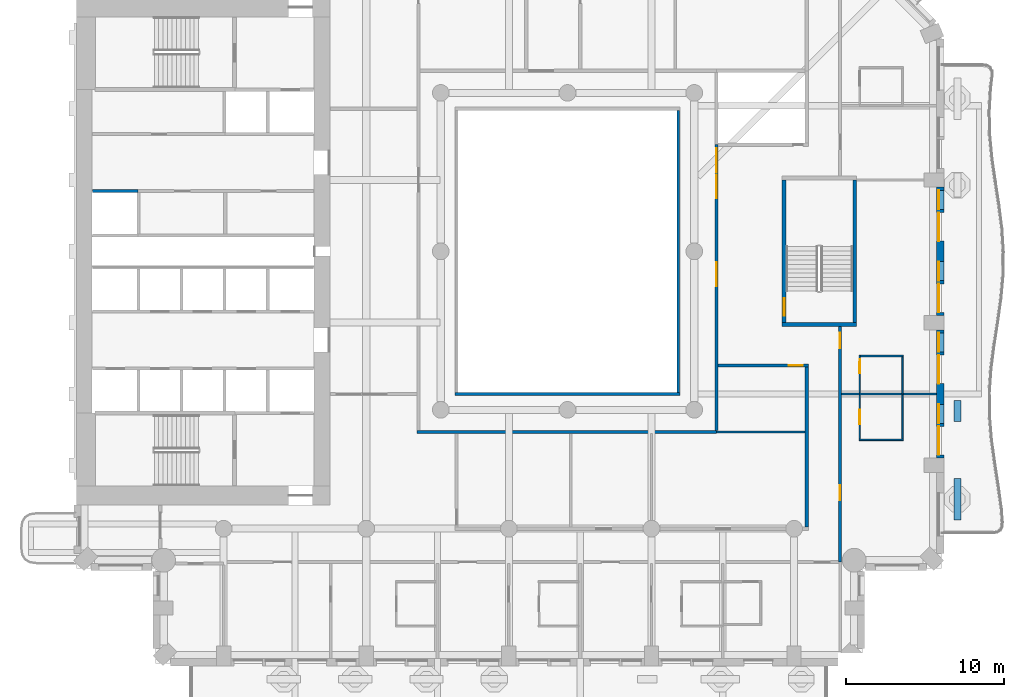
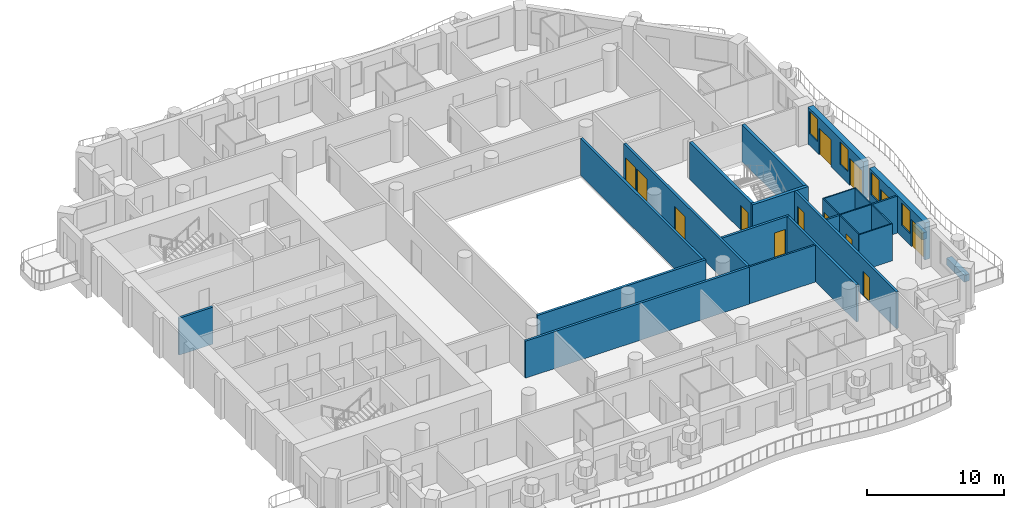
# One storey, part 6 of 19: 25 walls, 13 doors, 4 windows, 17 openings.
"""IFC4 building model written with IfcOpenShell, lengths in metres."""

from ifc_helpers import new_model, si_unit, direction, frame, frame_2d, origin, place, context, subcontext, project, spatial, rectangle, extrude, material, layer, layer_set, type_object, element, fill, save


model = new_model("IFC4")

# Units and contexts
model_context = context("Model", 3, precision=1e-05, world=origin(), true_north=direction((0.0, 1.0)))
body_context = subcontext(model_context, "Body", "Model", "MODEL_VIEW")
ifc_project = project(units=[si_unit("LENGTHUNIT", "METRE"), si_unit("AREAUNIT", "SQUARE_METRE"), si_unit("VOLUMEUNIT", "CUBIC_METRE"), si_unit("PLANEANGLEUNIT", "RADIAN"), si_unit("MASSUNIT", "GRAM", prefix="KILO")], contexts=[model_context])

# Site, building, storey
site_placement = place(None, origin())
site = spatial("IfcSite", under=ifc_project, at=site_placement, CompositionType="ELEMENT")
building_placement = place(site_placement, origin())
building = spatial("IfcBuilding", under=site, at=building_placement, Name="Cypress Arch Tower", CompositionType="ELEMENT")
storey_placement = place(building_placement, frame((0.0, 0.0, 141.89990234375)))
storey = spatial("IfcBuildingStorey", under=building, at=storey_placement, Name="L31", CompositionType="ELEMENT", Elevation=141.89990234375)

# Walls
ifc_material_1 = material(Name="Concrete C40/50, waterproofed", Category="concrete")
ifc_layer_1 = layer(ifc_material_1, 0.449951171875)
ifc_layer_set_1 = layer_set([ifc_layer_1], Name="Balcony planter wall PW450")
wall_type_1 = type_object("IfcWallType", Name="Balcony planter wall PW450", PredefinedType="SOLIDWALL", material=ifc_layer_set_1)
wall_1_placement = place(storey_placement, frame((25.60009765625, -16.949951171875, 0.0), z_axis=(0.0, 0.0, 1.0), x_axis=(0.0, 1.0, 0.0)))
element("IfcWall", 1, at=wall_1_placement, inside=storey, type_object=wall_type_1, Name="Balcony planter wall L31-A06.1", PredefinedType="SOLIDWALL", context=body_context, shape_type="SweptSolid", body=[
    extrude(rectangle(XDim=2.6142578125, YDim=0.449951171875, at=frame_2d((1.30712890625, 0.0))), origin(), (0.0, 0.0, 1.0), 0.60009765625),
])
wall_2_placement = place(storey_placement, frame((25.60009765625, -10.75, 0.0), z_axis=(0.0, 0.0, 1.0), x_axis=(0.0, 1.0, 0.0)))
element("IfcWall", 2, at=wall_2_placement, inside=storey, type_object=wall_type_1, Name="Balcony planter wall L31-A06.2", PredefinedType="SOLIDWALL", context=body_context, shape_type="SweptSolid", body=[
    extrude(rectangle(XDim=1.32861328125, YDim=0.449951171875, at=frame_2d((0.664306640625, 0.0))), origin(), (0.0, 0.0, 1.0), 0.60009765625),
])

# Wall, openings, doors, windows
ifc_material_2 = material(Name="Brick (red buff blend)", Category="masonry")
ifc_layer_2 = layer(ifc_material_2, 0.449951171875)
ifc_layer_set_2 = layer_set([ifc_layer_2], Name="Brick pier and spandrel wall BW450")
wall_type_2 = type_object("IfcWallType", Name="Brick pier and spandrel wall BW450", PredefinedType="SOLIDWALL", material=ifc_layer_set_2)
wall_3_placement = place(storey_placement, frame((24.52490234375, -13.050048828125, 0.0), z_axis=(0.0, 0.0, 1.0), x_axis=(0.0, 1.0, 0.0)))
wall_3 = element("IfcWall", 3, at=wall_3_placement, inside=storey, type_object=wall_type_2, Name="Brick wall L31 A06.1", PredefinedType="SOLIDWALL", context=body_context, shape_type="SweptSolid", body=[
    extrude(rectangle(XDim=8.10009765625, YDim=0.449951171875, at=frame_2d((4.050048828125, 0.0))), origin(), (0.0, 0.0, 1.0), 3.300048828125),
])
opening_1_placement = place(wall_3_placement, frame((0.199951171875, 0.0, 0.0)))
opening_1 = element("IfcOpeningElement", 4, at=opening_1_placement, cuts=wall_3, Name="Opening D-L31-A06.1.1", PredefinedType="OPENING", context=body_context, shape_type="SweptSolid", body=[
    extrude(rectangle(XDim=1.800048828125, YDim=2.39990234375, at=frame_2d((0.89990234375, 1.199951171875))), frame((0.0, 0.23486328125, 0.0), z_axis=(0.0, -1.0, 0.0), x_axis=(1.0, 0.0, 0.0)), (0.0, 0.0, 1.0), 0.469970703125),
])
opening_2_placement = place(wall_3_placement, frame((2.199951171875, 0.0, 1.050048828125)))
opening_2 = element("IfcOpeningElement", 5, at=opening_2_placement, cuts=wall_3, Name="Opening W120HD", PredefinedType="OPENING", context=body_context, shape_type="SweptSolid", body=[
    extrude(rectangle(XDim=1.199951171875, YDim=2.0, at=frame_2d((0.60009765625, 1.0))), frame((0.0, 0.23486328125, 0.0), z_axis=(0.0, -1.0, 0.0), x_axis=(1.0, 0.0, 0.0)), (0.0, 0.0, 1.0), 0.469970703125),
])
opening_3_placement = place(wall_3_placement, frame((4.699951171875, 0.0, 0.0)))
opening_3 = element("IfcOpeningElement", 6, at=opening_3_placement, cuts=wall_3, Name="Opening D-L31-A06.1.2", PredefinedType="OPENING", context=body_context, shape_type="SweptSolid", body=[
    extrude(rectangle(XDim=1.800048828125, YDim=2.39990234375, at=frame_2d((0.89990234375, 1.199951171875))), frame((0.0, 0.23486328125, 0.0), z_axis=(0.0, -1.0, 0.0), x_axis=(1.0, 0.0, 0.0)), (0.0, 0.0, 1.0), 0.469970703125),
])
opening_4_placement = place(wall_3_placement, frame((6.699951171875, 0.0, 1.050048828125)))
opening_4 = element("IfcOpeningElement", 7, at=opening_4_placement, cuts=wall_3, Name="Opening W120HD", PredefinedType="OPENING", context=body_context, shape_type="SweptSolid", body=[
    extrude(rectangle(XDim=1.199951171875, YDim=2.0, at=frame_2d((0.60009765625, 1.0))), frame((0.0, 0.23486328125, 0.0), z_axis=(0.0, -1.0, 0.0), x_axis=(1.0, 0.0, 0.0)), (0.0, 0.0, 1.0), 0.469970703125),
])
ifc_material_3 = material(Name="Anodised aluminium, bronze finish, laminated low-emissivity double glazing, large-missile impact rated", Category="aluminium")
door_type_1 = type_object("IfcDoorType", Name="Balcony sliding door 1800x2400", OperationType="SLIDING_TO_LEFT", PredefinedType="DOOR", material=ifc_material_3)
door_1_placement = place(opening_1_placement, origin())
door_1 = element("IfcDoor", 8, at=door_1_placement, inside=storey, type_object=door_type_1, Name="Balcony door L31 A06.1.1", OperationType="SLIDING_TO_LEFT", OverallHeight=2.39990234375, OverallWidth=1.800048828125, PredefinedType="DOOR", context=body_context, shape_type="SweptSolid", body=[
    extrude(rectangle(XDim=1.800048828125, YDim=2.39990234375, at=frame_2d((0.89990234375, 1.199951171875))), frame((0.0, 0.1298828125, 0.0), z_axis=(0.0, -1.0, 0.0), x_axis=(1.0, 0.0, 0.0)), (0.0, 0.0, 1.0), 0.050048828125),
])
fill(opening_1, door_1)
door_2_placement = place(opening_3_placement, origin())
door_2 = element("IfcDoor", 9, at=door_2_placement, inside=storey, type_object=door_type_1, Name="Balcony door L31 A06.1.2", OperationType="SLIDING_TO_LEFT", OverallHeight=2.39990234375, OverallWidth=1.800048828125, PredefinedType="DOOR", context=body_context, shape_type="SweptSolid", body=[
    extrude(rectangle(XDim=1.800048828125, YDim=2.39990234375, at=frame_2d((0.89990234375, 1.199951171875))), frame((0.0, 0.1298828125, 0.0), z_axis=(0.0, -1.0, 0.0), x_axis=(1.0, 0.0, 0.0)), (0.0, 0.0, 1.0), 0.050048828125),
])
fill(opening_3, door_2)
ifc_material_4 = material(Name="Anodised aluminium, bronze finish, laminated low-emissivity double glazing, large-missile impact rated", Category="aluminium")
window_type = type_object("IfcWindowType", Name="Window Hotel 1200x2000 debris-rated", PartitioningType="SINGLE_PANEL", PredefinedType="WINDOW", material=ifc_material_4)
window_1_placement = place(opening_2_placement, origin())
window_1 = element("IfcWindow", 10, at=window_1_placement, inside=storey, type_object=window_type, Name="Window L31 A06.1.1", OverallHeight=2.0, OverallWidth=1.199951171875, PartitioningType="SINGLE_PANEL", PredefinedType="WINDOW", context=body_context, shape_type="SweptSolid", body=[
    extrude(rectangle(XDim=1.199951171875, YDim=2.0, at=frame_2d((0.60009765625, 1.0))), frame((0.0, 0.135009765625, 0.0), z_axis=(0.0, -1.0, 0.0), x_axis=(1.0, 0.0, 0.0)), (0.0, 0.0, 1.0), 0.06005859375),
])
fill(opening_2, window_1)
window_2_placement = place(opening_4_placement, origin())
window_2 = element("IfcWindow", 11, at=window_2_placement, inside=storey, type_object=window_type, Name="Window L31 A06.1.2", OverallHeight=2.0, OverallWidth=1.199951171875, PartitioningType="SINGLE_PANEL", PredefinedType="WINDOW", context=body_context, shape_type="SweptSolid", body=[
    extrude(rectangle(XDim=1.199951171875, YDim=2.0, at=frame_2d((0.60009765625, 1.0))), frame((0.0, 0.135009765625, 0.0), z_axis=(0.0, -1.0, 0.0), x_axis=(1.0, 0.0, 0.0)), (0.0, 0.0, 1.0), 0.06005859375),
])
fill(opening_4, window_2)

wall_4_placement = place(storey_placement, frame((24.52490234375, -4.050048828125, 0.0), z_axis=(0.0, 0.0, 1.0), x_axis=(0.0, 1.0, 0.0)))
wall_4 = element("IfcWall", 12, at=wall_4_placement, inside=storey, type_object=wall_type_2, Name="Brick wall L31 A06.2", PredefinedType="SOLIDWALL", context=body_context, shape_type="SweptSolid", body=[
    extrude(rectangle(XDim=8.10009765625, YDim=0.449951171875, at=frame_2d((4.050048828125, 0.0))), origin(), (0.0, 0.0, 1.0), 3.300048828125),
])
opening_5_placement = place(wall_4_placement, frame((0.199951171875, 0.0, 0.0)))
opening_5 = element("IfcOpeningElement", 13, at=opening_5_placement, cuts=wall_4, Name="Opening D-L31-A06.2.1", PredefinedType="OPENING", context=body_context, shape_type="SweptSolid", body=[
    extrude(rectangle(XDim=1.800048828125, YDim=2.39990234375, at=frame_2d((0.89990234375, 1.199951171875))), frame((0.0, 0.23486328125, 0.0), z_axis=(0.0, -1.0, 0.0), x_axis=(1.0, 0.0, 0.0)), (0.0, 0.0, 1.0), 0.469970703125),
])
opening_6_placement = place(wall_4_placement, frame((2.199951171875, 0.0, 1.050048828125)))
opening_6 = element("IfcOpeningElement", 14, at=opening_6_placement, cuts=wall_4, Name="Opening W120HD", PredefinedType="OPENING", context=body_context, shape_type="SweptSolid", body=[
    extrude(rectangle(XDim=1.199951171875, YDim=2.0, at=frame_2d((0.60009765625, 1.0))), frame((0.0, 0.23486328125, 0.0), z_axis=(0.0, -1.0, 0.0), x_axis=(1.0, 0.0, 0.0)), (0.0, 0.0, 1.0), 0.469970703125),
])
opening_7_placement = place(wall_4_placement, frame((4.699951171875, 0.0, 0.0)))
opening_7 = element("IfcOpeningElement", 15, at=opening_7_placement, cuts=wall_4, Name="Opening D-L31-A06.2.2", PredefinedType="OPENING", context=body_context, shape_type="SweptSolid", body=[
    extrude(rectangle(XDim=1.800048828125, YDim=2.39990234375, at=frame_2d((0.89990234375, 1.199951171875))), frame((0.0, 0.23486328125, 0.0), z_axis=(0.0, -1.0, 0.0), x_axis=(1.0, 0.0, 0.0)), (0.0, 0.0, 1.0), 0.469970703125),
])
opening_8_placement = place(wall_4_placement, frame((6.699951171875, 0.0, 1.050048828125)))
opening_8 = element("IfcOpeningElement", 16, at=opening_8_placement, cuts=wall_4, Name="Opening W120HD", PredefinedType="OPENING", context=body_context, shape_type="SweptSolid", body=[
    extrude(rectangle(XDim=1.199951171875, YDim=2.0, at=frame_2d((0.60009765625, 1.0))), frame((0.0, 0.23486328125, 0.0), z_axis=(0.0, -1.0, 0.0), x_axis=(1.0, 0.0, 0.0)), (0.0, 0.0, 1.0), 0.469970703125),
])
door_3_placement = place(opening_5_placement, origin())
door_3 = element("IfcDoor", 17, at=door_3_placement, inside=storey, type_object=door_type_1, Name="Balcony door L31 A06.2.1", OperationType="SLIDING_TO_LEFT", OverallHeight=2.39990234375, OverallWidth=1.800048828125, PredefinedType="DOOR", context=body_context, shape_type="SweptSolid", body=[
    extrude(rectangle(XDim=1.800048828125, YDim=2.39990234375, at=frame_2d((0.89990234375, 1.199951171875))), frame((0.0, 0.1298828125, 0.0), z_axis=(0.0, -1.0, 0.0), x_axis=(1.0, 0.0, 0.0)), (0.0, 0.0, 1.0), 0.050048828125),
])
fill(opening_5, door_3)
door_4_placement = place(opening_7_placement, origin())
door_4 = element("IfcDoor", 18, at=door_4_placement, inside=storey, type_object=door_type_1, Name="Balcony door L31 A06.2.2", OperationType="SLIDING_TO_LEFT", OverallHeight=2.39990234375, OverallWidth=1.800048828125, PredefinedType="DOOR", context=body_context, shape_type="SweptSolid", body=[
    extrude(rectangle(XDim=1.800048828125, YDim=2.39990234375, at=frame_2d((0.89990234375, 1.199951171875))), frame((0.0, 0.1298828125, 0.0), z_axis=(0.0, -1.0, 0.0), x_axis=(1.0, 0.0, 0.0)), (0.0, 0.0, 1.0), 0.050048828125),
])
fill(opening_7, door_4)
window_3_placement = place(opening_6_placement, origin())
window_3 = element("IfcWindow", 19, at=window_3_placement, inside=storey, type_object=window_type, Name="Window L31 A06.2.1", OverallHeight=2.0, OverallWidth=1.199951171875, PartitioningType="SINGLE_PANEL", PredefinedType="WINDOW", context=body_context, shape_type="SweptSolid", body=[
    extrude(rectangle(XDim=1.199951171875, YDim=2.0, at=frame_2d((0.60009765625, 1.0))), frame((0.0, 0.135009765625, 0.0), z_axis=(0.0, -1.0, 0.0), x_axis=(1.0, 0.0, 0.0)), (0.0, 0.0, 1.0), 0.06005859375),
])
fill(opening_6, window_3)
window_4_placement = place(opening_8_placement, origin())
window_4 = element("IfcWindow", 20, at=window_4_placement, inside=storey, type_object=window_type, Name="Window L31 A06.2.2", OverallHeight=2.0, OverallWidth=1.199951171875, PartitioningType="SINGLE_PANEL", PredefinedType="WINDOW", context=body_context, shape_type="SweptSolid", body=[
    extrude(rectangle(XDim=1.199951171875, YDim=2.0, at=frame_2d((0.60009765625, 1.0))), frame((0.0, 0.135009765625, 0.0), z_axis=(0.0, -1.0, 0.0), x_axis=(1.0, 0.0, 0.0)), (0.0, 0.0, 1.0), 0.06005859375),
])
fill(opening_8, window_4)

# Walls
ifc_material_5 = material(Name="Concrete blockwork, plastered, rated", Category="masonry")
ifc_layer_3 = layer(ifc_material_5, 0.199951171875)
ifc_layer_set_3 = layer_set([ifc_layer_3], Name="Corridor wall FW200")
wall_type_3 = type_object("IfcWallType", Name="Corridor wall FW200", PredefinedType="PARTITIONING", material=ifc_layer_set_3)
wall_5_placement = place(storey_placement, frame((-8.5, -11.39990234375, 0.0), z_axis=(0.0, 0.0, 1.0), x_axis=(1.0, 0.0, 0.0)))
element("IfcWall", 21, at=wall_5_placement, inside=storey, type_object=wall_type_3, Name="Corridor wall", PredefinedType="PARTITIONING", context=body_context, shape_type="SweptSolid", body=[
    extrude(rectangle(XDim=18.89990234375, YDim=0.199951171875, at=frame_2d((9.449951171875, 0.0))), origin(), (0.0, 0.0, 1.0), 3.300048828125),
])
wall_6_placement = place(storey_placement, frame((-6.10009765625, -9.0, 0.0), z_axis=(0.0, 0.0, 1.0), x_axis=(1.0, 0.0, 0.0)))
element("IfcWall", 22, at=wall_6_placement, inside=storey, type_object=wall_type_3, Name="Corridor wall", PredefinedType="PARTITIONING", context=body_context, shape_type="SweptSolid", body=[
    extrude(rectangle(XDim=14.2001953125, YDim=0.199951171875, at=frame_2d((7.10009765625, 0.0))), origin(), (0.0, 0.0, 1.0), 3.300048828125),
])
wall_7_placement = place(storey_placement, frame((8.0, -8.89990234375, 0.0), z_axis=(0.0, 0.0, 1.0), x_axis=(0.0, 1.0, 0.0)))
element("IfcWall", 23, at=wall_7_placement, inside=storey, type_object=wall_type_3, Name="Corridor wall", PredefinedType="PARTITIONING", context=body_context, shape_type="SweptSolid", body=[
    extrude(rectangle(XDim=17.7998046875, YDim=0.199951171875, at=frame_2d((8.89990234375, 0.0))), origin(), (0.0, 0.0, 1.0), 3.300048828125),
])

# Wall, openings, doors
wall_8_placement = place(storey_placement, frame((10.39990234375, -11.300048828125, 0.0), z_axis=(0.0, 0.0, 1.0), x_axis=(0.0, 1.0, 0.0)))
wall_8 = element("IfcWall", 24, at=wall_8_placement, inside=storey, type_object=wall_type_3, Name="Corridor wall", PredefinedType="PARTITIONING", context=body_context, shape_type="SweptSolid", body=[
    extrude(rectangle(XDim=18.045166015625, YDim=0.199951171875, at=frame_2d((9.0224609375, 0.0))), origin(), (0.0, 0.0, 1.0), 3.300048828125),
])
opening_9_placement = place(wall_8_placement, frame((16.300048828125, 0.0, 0.0)))
opening_9 = element("IfcOpeningElement", 25, at=opening_9_placement, cuts=wall_8, Name="Opening D04", PredefinedType="OPENING", context=body_context, shape_type="SweptSolid", body=[
    extrude(rectangle(XDim=1.5, YDim=2.199951171875, at=frame_2d((0.75, 1.10009765625))), frame((0.0, 0.10986328125, 0.0), z_axis=(0.0, -1.0, 0.0), x_axis=(1.0, 0.0, 0.0)), (0.0, 0.0, 1.0), 0.219970703125),
])
opening_10_placement = place(wall_8_placement, frame((14.64990234375, 0.0, 0.0)))
opening_10 = element("IfcOpeningElement", 26, at=opening_10_placement, cuts=wall_8, Name="Opening D04", PredefinedType="OPENING", context=body_context, shape_type="SweptSolid", body=[
    extrude(rectangle(XDim=1.5, YDim=2.199951171875, at=frame_2d((0.75, 1.10009765625))), frame((0.0, 0.10986328125, 0.0), z_axis=(0.0, -1.0, 0.0), x_axis=(1.0, 0.0, 0.0)), (0.0, 0.0, 1.0), 0.219970703125),
])
opening_11_placement = place(wall_8_placement, frame((9.10009765625, 0.0, 0.0)))
opening_11 = element("IfcOpeningElement", 27, at=opening_11_placement, cuts=wall_8, Name="Opening D04", PredefinedType="OPENING", context=body_context, shape_type="SweptSolid", body=[
    extrude(rectangle(XDim=1.5, YDim=2.199951171875, at=frame_2d((0.75, 1.10009765625))), frame((0.0, 0.10986328125, 0.0), z_axis=(0.0, -1.0, 0.0), x_axis=(1.0, 0.0, 0.0)), (0.0, 0.0, 1.0), 0.219970703125),
])
ifc_material_6 = material(Name="Timber double door", Category="wood")
door_type_2 = type_object("IfcDoorType", Name="Double door D04 1500x2200", OperationType="DOUBLE_DOOR_SINGLE_SWING", PredefinedType="DOOR", material=ifc_material_6)
door_5_placement = place(opening_9_placement, origin())
door_5 = element("IfcDoor", 28, at=door_5_placement, inside=storey, type_object=door_type_2, Name="Double door", OperationType="DOUBLE_DOOR_SINGLE_SWING", OverallHeight=2.199951171875, OverallWidth=1.5, PredefinedType="DOOR", context=body_context, shape_type="SweptSolid", body=[
    extrude(rectangle(XDim=1.5, YDim=2.199951171875, at=frame_2d((0.75, 1.10009765625))), frame((0.0, 0.02490234375, 0.0), z_axis=(0.0, -1.0, 0.0), x_axis=(1.0, 0.0, 0.0)), (0.0, 0.0, 1.0), 0.050048828125),
])
fill(opening_9, door_5)
door_6_placement = place(opening_10_placement, origin())
door_6 = element("IfcDoor", 29, at=door_6_placement, inside=storey, type_object=door_type_2, Name="Double door", OperationType="DOUBLE_DOOR_SINGLE_SWING", OverallHeight=2.199951171875, OverallWidth=1.5, PredefinedType="DOOR", context=body_context, shape_type="SweptSolid", body=[
    extrude(rectangle(XDim=1.5, YDim=2.199951171875, at=frame_2d((0.75, 1.10009765625))), frame((0.0, 0.02490234375, 0.0), z_axis=(0.0, -1.0, 0.0), x_axis=(1.0, 0.0, 0.0)), (0.0, 0.0, 1.0), 0.050048828125),
])
fill(opening_10, door_6)
door_7_placement = place(opening_11_placement, origin())
door_7 = element("IfcDoor", 30, at=door_7_placement, inside=storey, type_object=door_type_2, Name="Double door", OperationType="DOUBLE_DOOR_SINGLE_SWING", OverallHeight=2.199951171875, OverallWidth=1.5, PredefinedType="DOOR", context=body_context, shape_type="SweptSolid", body=[
    extrude(rectangle(XDim=1.5, YDim=2.199951171875, at=frame_2d((0.75, 1.10009765625))), frame((0.0, 0.02490234375, 0.0), z_axis=(0.0, -1.0, 0.0), x_axis=(1.0, 0.0, 0.0)), (0.0, 0.0, 1.0), 0.050048828125),
])
fill(opening_11, door_7)

# Wall, opening, door
wall_9_placement = place(storey_placement, frame((10.5, -7.199951171875, 0.0), z_axis=(0.0, 0.0, 1.0), x_axis=(1.0, 0.0, 0.0)))
wall_9 = element("IfcWall", 31, at=wall_9_placement, inside=storey, type_object=wall_type_3, Name="Corridor wall", PredefinedType="PARTITIONING", context=body_context, shape_type="SweptSolid", body=[
    extrude(rectangle(XDim=5.699951171875, YDim=0.199951171875, at=frame_2d((2.85009765625, 0.0))), origin(), (0.0, 0.0, 1.0), 3.300048828125),
])
opening_12_placement = place(wall_9_placement, frame((4.449951171875, 0.0, 0.0)))
opening_12 = element("IfcOpeningElement", 32, at=opening_12_placement, cuts=wall_9, Name="Opening D05", PredefinedType="OPENING", context=body_context, shape_type="SweptSolid", body=[
    extrude(rectangle(XDim=0.89990234375, YDim=2.199951171875, at=frame_2d((0.449951171875, 1.10009765625))), frame((0.0, 0.10986328125, 0.0), z_axis=(0.0, -1.0, 0.0), x_axis=(1.0, 0.0, 0.0)), (0.0, 0.0, 1.0), 0.219970703125),
])
ifc_material_7 = material(Name="Timber flush door", Category="wood")
door_type_3 = type_object("IfcDoorType", Name="Service door D05 900x2200", OperationType="SINGLE_SWING_LEFT", PredefinedType="DOOR", material=ifc_material_7)
door_8_placement = place(opening_12_placement, origin())
door_8 = element("IfcDoor", 33, at=door_8_placement, inside=storey, type_object=door_type_3, Name="Service door", OperationType="SINGLE_SWING_LEFT", OverallHeight=2.199951171875, OverallWidth=0.89990234375, PredefinedType="DOOR", context=body_context, shape_type="SweptSolid", body=[
    extrude(rectangle(XDim=0.89990234375, YDim=2.199951171875, at=frame_2d((0.449951171875, 1.10009765625))), frame((0.0, 0.02490234375, 0.0), z_axis=(0.0, -1.0, 0.0), x_axis=(1.0, 0.0, 0.0)), (0.0, 0.0, 1.0), 0.050048828125),
])
fill(opening_12, door_8)

# Wall
wall_10_placement = place(storey_placement, frame((16.10009765625, -17.39990234375, 0.0), z_axis=(0.0, 0.0, 1.0), x_axis=(0.0, 1.0, 0.0)))
element("IfcWall", 34, at=wall_10_placement, inside=storey, type_object=wall_type_3, Name="Corridor wall", PredefinedType="PARTITIONING", context=body_context, shape_type="SweptSolid", body=[
    extrude(rectangle(XDim=10.099853515625, YDim=0.199951171875, at=frame_2d((5.0498046875, 0.0))), origin(), (0.0, 0.0, 1.0), 3.300048828125),
])

# Wall, openings, doors
wall_11_placement = place(storey_placement, frame((18.199951171875, -19.60009765625, 0.0), z_axis=(0.0, 0.0, 1.0), x_axis=(0.0, 1.0, 0.0)))
wall_11 = element("IfcWall", 35, at=wall_11_placement, inside=storey, type_object=wall_type_3, Name="Corridor wall", PredefinedType="PARTITIONING", context=body_context, shape_type="SweptSolid", body=[
    extrude(rectangle(XDim=14.85009765625, YDim=0.199951171875, at=frame_2d((7.425048828125, 0.0))), origin(), (0.0, 0.0, 1.0), 3.300048828125),
])
opening_13_placement = place(wall_11_placement, frame((3.89990234375, 0.0, 0.0)))
opening_13 = element("IfcOpeningElement", 36, at=opening_13_placement, cuts=wall_11, Name="Opening D02", PredefinedType="OPENING", context=body_context, shape_type="SweptSolid", body=[
    extrude(rectangle(XDim=0.949951171875, YDim=2.199951171875, at=frame_2d((0.47509765625, 1.10009765625))), frame((0.0, 0.10986328125, 0.0), z_axis=(0.0, -1.0, 0.0), x_axis=(1.0, 0.0, 0.0)), (0.0, 0.0, 1.0), 0.219970703125),
])
opening_14_placement = place(wall_11_placement, frame((13.5, 0.0, 0.0)))
opening_14 = element("IfcOpeningElement", 37, at=opening_14_placement, cuts=wall_11, Name="Opening D02", PredefinedType="OPENING", context=body_context, shape_type="SweptSolid", body=[
    extrude(rectangle(XDim=0.949951171875, YDim=2.199951171875, at=frame_2d((0.47509765625, 1.10009765625))), frame((0.0, 0.10986328125, 0.0), z_axis=(0.0, -1.0, 0.0), x_axis=(1.0, 0.0, 0.0)), (0.0, 0.0, 1.0), 0.219970703125),
])
ifc_material_8 = material(Name="Timber flush door, fire resisting", Category="wood")
door_type_4 = type_object("IfcDoorType", Name="Room door D02 950x2200", OperationType="SINGLE_SWING_LEFT", PredefinedType="DOOR", material=ifc_material_8)
door_9_placement = place(opening_13_placement, origin())
door_9 = element("IfcDoor", 38, at=door_9_placement, inside=storey, type_object=door_type_4, Name="Room door", OperationType="SINGLE_SWING_RIGHT", OverallHeight=2.199951171875, OverallWidth=0.949951171875, PredefinedType="DOOR", context=body_context, shape_type="SweptSolid", body=[
    extrude(rectangle(XDim=0.949951171875, YDim=2.199951171875, at=frame_2d((0.47509765625, 1.10009765625))), frame((0.0, 0.02490234375, 0.0), z_axis=(0.0, -1.0, 0.0), x_axis=(1.0, 0.0, 0.0)), (0.0, 0.0, 1.0), 0.050048828125),
])
fill(opening_13, door_9)
door_10_placement = place(opening_14_placement, origin())
door_10 = element("IfcDoor", 39, at=door_10_placement, inside=storey, type_object=door_type_4, Name="Room door", OperationType="SINGLE_SWING_LEFT", OverallHeight=2.199951171875, OverallWidth=0.949951171875, PredefinedType="DOOR", context=body_context, shape_type="SweptSolid", body=[
    extrude(rectangle(XDim=0.949951171875, YDim=2.199951171875, at=frame_2d((0.47509765625, 1.10009765625))), frame((0.0, 0.02490234375, 0.0), z_axis=(0.0, -1.0, 0.0), x_axis=(1.0, 0.0, 0.0)), (0.0, 0.0, 1.0), 0.050048828125),
])
fill(opening_14, door_10)

# Walls
ifc_material_9 = material(Name="Blockwork, plastered both sides", Category="masonry")
ifc_layer_4 = layer(ifc_material_9, 0.14990234375)
ifc_layer_set_4 = layer_set([ifc_layer_4], Name="Partition PW150")
wall_type_4 = type_object("IfcWallType", Name="Partition PW150", PredefinedType="PARTITIONING", material=ifc_layer_set_4)
wall_12_placement = place(storey_placement, frame((10.39990234375, -11.39990234375, 0.0), z_axis=(0.0, 0.0, 1.0), x_axis=(1.0, 0.0, 0.0)))
element("IfcWall", 40, at=wall_12_placement, inside=storey, type_object=wall_type_4, Name="Partition", PredefinedType="PARTITIONING", context=body_context, shape_type="SweptSolid", body=[
    extrude(rectangle(XDim=5.60009765625, YDim=0.14990234375, at=frame_2d((2.800048828125, 0.0))), origin(), (0.0, 0.0, 1.0), 3.300048828125),
])
wall_13_placement = place(storey_placement, frame((18.300048828125, -9.0, 0.0), z_axis=(0.0, 0.0, 1.0), x_axis=(1.0, 0.0, 0.0)))
element("IfcWall", 41, at=wall_13_placement, inside=storey, type_object=wall_type_4, Name="Partition", PredefinedType="PARTITIONING", context=body_context, shape_type="SweptSolid", body=[
    extrude(rectangle(XDim=1.1298828125, YDim=0.14990234375, at=frame_2d((0.56494140625, 0.0))), origin(), (0.0, 0.0, 1.0), 3.300048828125),
])
wall_14_placement = place(storey_placement, frame((22.169921875, -9.0, 0.0), z_axis=(0.0, 0.0, 1.0), x_axis=(1.0, 0.0, 0.0)))
element("IfcWall", 42, at=wall_14_placement, inside=storey, type_object=wall_type_4, Name="Partition", PredefinedType="PARTITIONING", context=body_context, shape_type="SweptSolid", body=[
    extrude(rectangle(XDim=2.130126953125, YDim=0.14990234375, at=frame_2d((1.06494140625, 0.0))), origin(), (0.0, 0.0, 1.0), 3.300048828125),
])
ifc_material_10 = material(Name="Concrete C50/60", Category="concrete")
ifc_layer_5 = layer(ifc_material_10, 0.199951171875)
ifc_layer_set_5 = layer_set([ifc_layer_5], Name="Shaft wall SH200")
wall_type_5 = type_object("IfcWallType", Name="Shaft wall SH200", PredefinedType="SHEAR", material=ifc_layer_set_5)
wall_15_placement = place(storey_placement, frame((-28.969970703125, 3.800048828125, 0.0), z_axis=(0.0, 0.0, 1.0), x_axis=(1.0, 0.0, 0.0)))
element("IfcWall", 43, at=wall_15_placement, inside=storey, type_object=wall_type_5, Name="Shaft wall", PredefinedType="SHEAR", context=body_context, shape_type="SweptSolid", body=[
    extrude(rectangle(XDim=2.869873046875, YDim=0.199951171875, at=frame_2d((1.43505859375, 0.0))), origin(), (0.0, 0.0, 1.0), 3.300048828125),
])

# Wall, opening, door
ifc_material_11 = material(Name="Concrete C50/60", Category="concrete")
ifc_layer_6 = layer(ifc_material_11, 0.25)
ifc_layer_set_6 = layer_set([ifc_layer_6], Name="Stair enclosure wall SW250")
wall_type_6 = type_object("IfcWallType", Name="Stair enclosure wall SW250", PredefinedType="SHEAR", material=ifc_layer_set_6)
wall_16_placement = place(storey_placement, frame((14.675048828125, -4.5, 0.0), z_axis=(0.0, 0.0, 1.0), x_axis=(0.0, 1.0, 0.0)))
wall_16 = element("IfcWall", 44, at=wall_16_placement, inside=storey, type_object=wall_type_6, Name="Stair enclosure wall", PredefinedType="SHEAR", context=body_context, shape_type="SweptSolid", body=[
    extrude(rectangle(XDim=9.0, YDim=0.25, at=frame_2d((4.5, 0.0))), origin(), (0.0, 0.0, 1.0), 3.300048828125),
])
opening_15_placement = place(wall_16_placement, frame((0.449951171875, 0.0, 0.0)))
opening_15 = element("IfcOpeningElement", 45, at=opening_15_placement, cuts=wall_16, Name="Opening D06", PredefinedType="OPENING", context=body_context, shape_type="SweptSolid", body=[
    extrude(rectangle(XDim=1.10009765625, YDim=2.199951171875, at=frame_2d((0.550048828125, 1.10009765625))), frame((0.0, 0.135009765625, 0.0), z_axis=(0.0, -1.0, 0.0), x_axis=(1.0, 0.0, 0.0)), (0.0, 0.0, 1.0), 0.27001953125),
])
ifc_material_12 = material(Name="Steel door, fire resisting, panic bar", Category="steel")
door_type_5 = type_object("IfcDoorType", Name="Stair door D06 1100x2200", OperationType="SINGLE_SWING_LEFT", PredefinedType="DOOR", material=ifc_material_12)
door_11_placement = place(opening_15_placement, origin())
door_11 = element("IfcDoor", 46, at=door_11_placement, inside=storey, type_object=door_type_5, Name="Stair door", OperationType="SINGLE_SWING_RIGHT", OverallHeight=2.199951171875, OverallWidth=1.10009765625, PredefinedType="DOOR", context=body_context, shape_type="SweptSolid", body=[
    extrude(rectangle(XDim=1.10009765625, YDim=2.199951171875, at=frame_2d((0.550048828125, 1.10009765625))), frame((0.0, 0.02490234375, 0.0), z_axis=(0.0, -1.0, 0.0), x_axis=(1.0, 0.0, 0.0)), (0.0, 0.0, 1.0), 0.050048828125),
])
fill(opening_15, door_11)

# Walls
wall_17_placement = place(storey_placement, frame((14.550048828125, -4.625, 0.0), z_axis=(0.0, 0.0, 1.0), x_axis=(1.0, 0.0, 0.0)))
element("IfcWall", 47, at=wall_17_placement, inside=storey, type_object=wall_type_6, Name="Stair enclosure wall", PredefinedType="SHEAR", context=body_context, shape_type="SweptSolid", body=[
    extrude(rectangle(XDim=4.699951171875, YDim=0.25, at=frame_2d((2.35009765625, 0.0))), origin(), (0.0, 0.0, 1.0), 3.300048828125),
])
wall_18_placement = place(storey_placement, frame((19.125, -4.5, 0.0), z_axis=(0.0, 0.0, 1.0), x_axis=(0.0, 1.0, 0.0)))
element("IfcWall", 48, at=wall_18_placement, inside=storey, type_object=wall_type_6, Name="Stair enclosure wall", PredefinedType="SHEAR", context=body_context, shape_type="SweptSolid", body=[
    extrude(rectangle(XDim=9.0, YDim=0.25, at=frame_2d((4.5, 0.0))), origin(), (0.0, 0.0, 1.0), 3.300048828125),
])
ifc_material_13 = material(Name="Moisture resistant board on steel studs, tiled", Category="steel")
ifc_layer_7 = layer(ifc_material_13, 0.10009765625)
ifc_layer_set_7 = layer_set([ifc_layer_7], Name="Wet wall PW100")
wall_type_7 = type_object("IfcWallType", Name="Wet wall PW100", PredefinedType="PARTITIONING", material=ifc_layer_set_7)
wall_19_placement = place(storey_placement, frame((19.429931640625, -9.0, 0.0), z_axis=(0.0, 0.0, 1.0), x_axis=(1.0, 0.0, 0.0)))
element("IfcWall", 49, at=wall_19_placement, inside=storey, type_object=wall_type_7, Name="Wet wall", PredefinedType="PARTITIONING", context=body_context, shape_type="SweptSolid", body=[
    extrude(rectangle(XDim=2.739990234375, YDim=0.10009765625, at=frame_2d((1.3701171875, 0.0))), origin(), (0.0, 0.0, 1.0), 3.300048828125),
])

# Wall, opening, door
wall_20_placement = place(storey_placement, frame((19.449951171875, -11.845947265625, 0.0), z_axis=(0.0, 0.0, 1.0), x_axis=(0.0, 1.0, 0.0)))
wall_20 = element("IfcWall", 50, at=wall_20_placement, inside=storey, type_object=wall_type_7, Name="Wet wall", PredefinedType="PARTITIONING", context=body_context, shape_type="SweptSolid", body=[
    extrude(rectangle(XDim=2.845947265625, YDim=0.10009765625, at=frame_2d((1.4228515625, 0.0))), origin(), (0.0, 0.0, 1.0), 3.300048828125),
])
opening_16_placement = place(wall_20_placement, frame((0.949951171875, 0.0, 0.0)))
opening_16 = element("IfcOpeningElement", 51, at=opening_16_placement, cuts=wall_20, Name="Opening D03", PredefinedType="OPENING", context=body_context, shape_type="SweptSolid", body=[
    extrude(rectangle(XDim=0.89990234375, YDim=2.199951171875, at=frame_2d((0.449951171875, 1.10009765625))), frame((0.0, 0.06005859375, 0.0), z_axis=(0.0, -1.0, 0.0), x_axis=(1.0, 0.0, 0.0)), (0.0, 0.0, 1.0), 0.1201171875),
])
ifc_material_14 = material(Name="Timber flush door, moisture resistant", Category="wood")
door_type_6 = type_object("IfcDoorType", Name="Bathroom door D03 900x2200", OperationType="SINGLE_SWING_LEFT", PredefinedType="DOOR", material=ifc_material_14)
door_12_placement = place(opening_16_placement, origin())
door_12 = element("IfcDoor", 52, at=door_12_placement, inside=storey, type_object=door_type_6, Name="Bathroom door", OperationType="SINGLE_SWING_LEFT", OverallHeight=2.199951171875, OverallWidth=0.89990234375, PredefinedType="DOOR", context=body_context, shape_type="SweptSolid", body=[
    extrude(rectangle(XDim=0.89990234375, YDim=2.199951171875, at=frame_2d((0.449951171875, 1.10009765625))), frame((0.0, 0.02490234375, 0.0), z_axis=(0.0, -1.0, 0.0), x_axis=(1.0, 0.0, 0.0)), (0.0, 0.0, 1.0), 0.050048828125),
])
fill(opening_16, door_12)

# Wall
wall_21_placement = place(storey_placement, frame((19.39990234375, -11.89599609375, 0.0), z_axis=(0.0, 0.0, 1.0), x_axis=(1.0, 0.0, 0.0)))
element("IfcWall", 53, at=wall_21_placement, inside=storey, type_object=wall_type_7, Name="Wet wall", PredefinedType="PARTITIONING", context=body_context, shape_type="SweptSolid", body=[
    extrude(rectangle(XDim=2.800048828125, YDim=0.10009765625, at=frame_2d((1.39990234375, 0.0))), origin(), (0.0, 0.0, 1.0), 3.300048828125),
])

# Wall, opening, door
wall_22_placement = place(storey_placement, frame((19.449951171875, -9.0, 0.0), z_axis=(0.0, 0.0, 1.0), x_axis=(0.000399241409, 0.999999920303, 0.0)))
wall_22 = element("IfcWall", 54, at=wall_22_placement, inside=storey, type_object=wall_type_7, Name="Wet wall", PredefinedType="PARTITIONING", context=body_context, shape_type="SweptSolid", body=[
    extrude(rectangle(XDim=2.446044921875, YDim=0.10009765625, at=frame_2d((1.22314453125, 0.0))), origin(), (0.0, 0.0, 1.0), 3.300048828125),
])
opening_17_placement = place(wall_22_placement, frame((1.300048828125, 0.0, 0.0)))
opening_17 = element("IfcOpeningElement", 55, at=opening_17_placement, cuts=wall_22, Name="Opening D03", PredefinedType="OPENING", context=body_context, shape_type="SweptSolid", body=[
    extrude(rectangle(XDim=0.89990234375, YDim=2.199951171875, at=frame_2d((0.449951171875, 1.10009765625))), frame((0.0, 0.06005859375, 0.0), z_axis=(0.0, -1.0, 0.0), x_axis=(1.0, 0.0, 0.0)), (0.0, 0.0, 1.0), 0.1201171875),
])
door_13_placement = place(opening_17_placement, origin())
door_13 = element("IfcDoor", 56, at=door_13_placement, inside=storey, type_object=door_type_6, Name="Bathroom door", OperationType="SINGLE_SWING_LEFT", OverallHeight=2.199951171875, OverallWidth=0.89990234375, PredefinedType="DOOR", context=body_context, shape_type="SweptSolid", body=[
    extrude(rectangle(XDim=0.89990234375, YDim=2.199951171875, at=frame_2d((0.449951171875, 1.10009765625))), frame((0.0, 0.02490234375, 0.0), z_axis=(0.0, -1.0, 0.0), x_axis=(1.0, 0.0, 0.0)), (0.0, 0.0, 1.0), 0.050048828125),
])
fill(opening_17, door_13)

# Walls
wall_23_placement = place(storey_placement, frame((19.5009765625, -6.60400390625, 0.0), z_axis=(0.0, 0.0, 1.0), x_axis=(0.999999934588, -0.000361696332, 0.0)))
element("IfcWall", 57, at=wall_23_placement, inside=storey, type_object=wall_type_7, Name="Wet wall", PredefinedType="PARTITIONING", context=body_context, shape_type="SweptSolid", body=[
    extrude(rectangle(XDim=2.699951171875, YDim=0.10009765625, at=frame_2d((1.35009765625, 0.0))), origin(), (0.0, 0.0, 1.0), 3.300048828125),
])
wall_24_placement = place(storey_placement, frame((22.14990234375, -11.845947265625, 0.0), z_axis=(0.0, 0.0, 1.0), x_axis=(0.0, 1.0, 0.0)))
element("IfcWall", 58, at=wall_24_placement, inside=storey, type_object=wall_type_7, Name="Wet wall", PredefinedType="PARTITIONING", context=body_context, shape_type="SweptSolid", body=[
    extrude(rectangle(XDim=2.845947265625, YDim=0.10009765625, at=frame_2d((1.4228515625, 0.0))), origin(), (0.0, 0.0, 1.0), 3.300048828125),
])
wall_25_placement = place(storey_placement, frame((22.14990234375, -9.0, 0.0), z_axis=(0.0, 0.0, 1.0), x_axis=(0.00041644973, 0.999999913285, 0.0)))
element("IfcWall", 59, at=wall_25_placement, inside=storey, type_object=wall_type_7, Name="Wet wall", PredefinedType="PARTITIONING", context=body_context, shape_type="SweptSolid", body=[
    extrude(rectangle(XDim=2.344970703125, YDim=0.10009765625, at=frame_2d((1.17236328125, 0.0))), origin(), (0.0, 0.0, 1.0), 3.300048828125),
])

save(model, "model.ifc")
